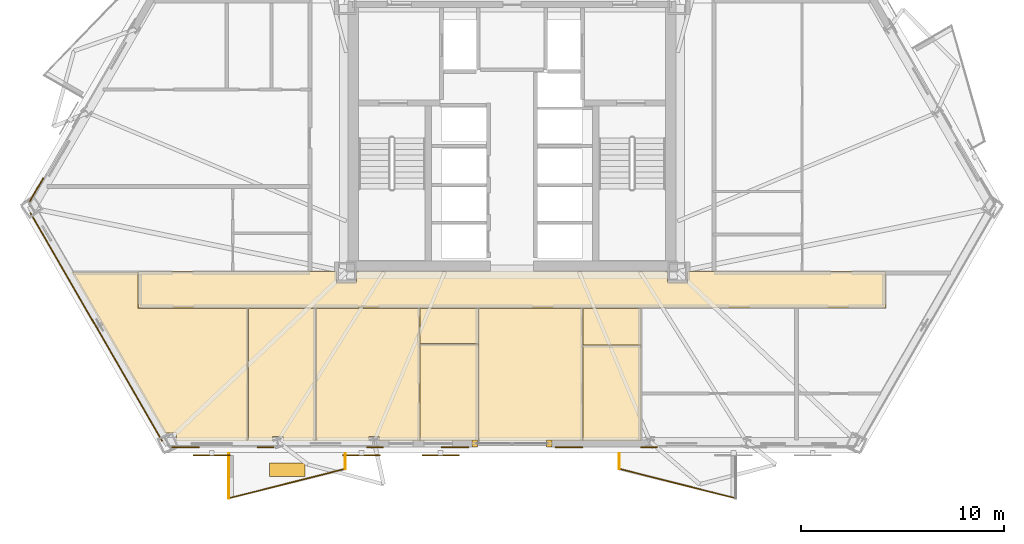
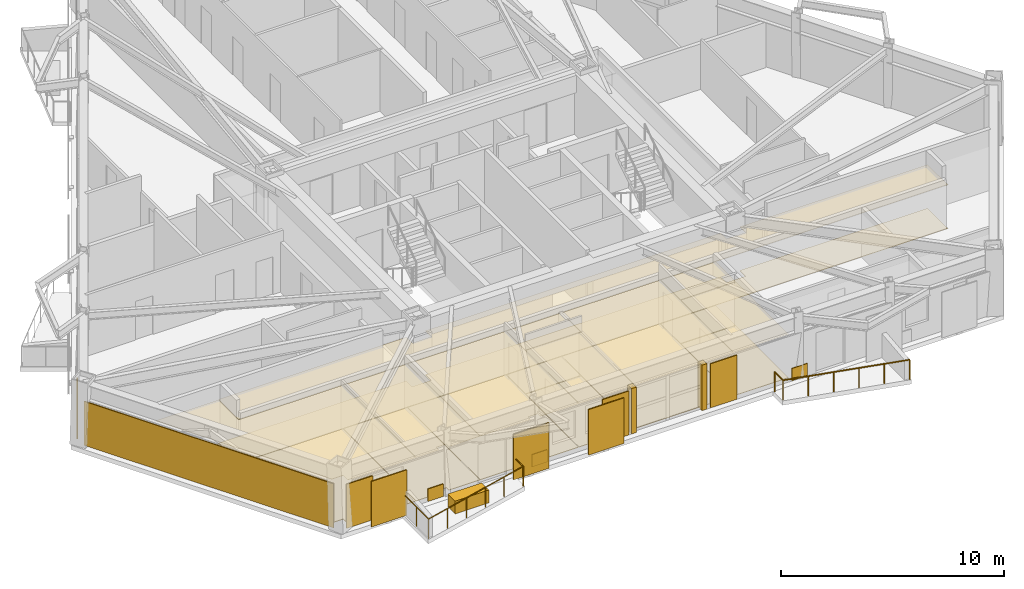
# One storey, part 14 of 17: 29 coverings, 5 railings, 3 shading devices.
"""IFC4 building model written with IfcOpenShell, lengths in metres."""

from ifc_helpers import new_model, si_unit, direction, frame, origin, origin_2d, place, context, subcontext, project, spatial, polyline, rectangle, circle, outline, extrude, material, layer, layer_set, type_object, element, save


model = new_model("IFC4")

# Units and contexts
model_context = context("Model", 3, precision=1e-05, world=origin(), true_north=direction((0.0, 1.0)))
body_context = subcontext(model_context, "Body", "Model", "MODEL_VIEW")
ifc_project = project(units=[si_unit("LENGTHUNIT", "METRE"), si_unit("AREAUNIT", "SQUARE_METRE"), si_unit("VOLUMEUNIT", "CUBIC_METRE"), si_unit("PLANEANGLEUNIT", "RADIAN"), si_unit("MASSUNIT", "GRAM", prefix="KILO")], contexts=[model_context])

# Site, building, storey
site_placement = place(None, origin())
site = spatial("IfcSite", under=ifc_project, at=site_placement, CompositionType="ELEMENT")
building_placement = place(site_placement, origin())
building = spatial("IfcBuilding", under=site, at=building_placement, Name="Oramaril Tower", CompositionType="ELEMENT")
storey_placement = place(building_placement, frame((0.0, 0.0, 70.5)))
storey = spatial("IfcBuildingStorey", under=building, at=storey_placement, Name="L18", CompositionType="ELEMENT", Elevation=70.5)

# Coverings
ifc_material_1 = material(Name="Mineral Fibre Acoustic Ceiling")
ifc_layer_1 = layer(ifc_material_1, 0.02001953125)
ifc_layer_set_1 = layer_set([ifc_layer_1], Name="CVT-CEIL")
covering_type_1 = type_object("IfcCoveringType", Name="CVT-CEIL", PredefinedType="CEILING", material=ifc_layer_set_1)
covering_1_placement = place(storey_placement, frame((0.0, 0.0, 2.39990234375)))
element("IfcCovering", 1, at=covering_1_placement, inside=storey, type_object=covering_type_1, Name="L18 Acoustic Suspended Ceiling 1", PredefinedType="CEILING", context=body_context, shape_type="SweptSolid", body=[
    extrude(outline(polyline([(28.85498046875, 10.5048828125), (29.844970703125, 10.5048828125), (29.844970703125, 11.030029296875), (45.155029296875, 11.030029296875), (45.155029296875, 10.5048828125), (46.14501953125, 10.5048828125), (46.14501953125, 11.030029296875), (55.8798828125, 11.030029296875), (55.8798828125, 9.219970703125), (19.1201171875, 9.219970703125), (19.1201171875, 11.030029296875), (28.85498046875, 11.030029296875), (28.85498046875, 10.5048828125)])), origin(), (0.0, 0.0, 1.0), 0.02001953125),
])
covering_2_placement = place(storey_placement, frame((0.0, 0.0, 2.39990234375)))
element("IfcCovering", 2, at=covering_2_placement, inside=storey, type_object=covering_type_1, Name="L18 Acoustic Suspended Ceiling 5", PredefinedType="CEILING", context=body_context, shape_type="SweptSolid", body=[
    extrude(outline(polyline([(24.510986328125, 2.668701171875), (20.994384765625, 2.668701171875), (20.994384765625, 3.074462890625), (20.40234375, 3.074462890625), (15.8310546875, 10.991943359375), (19.10009765625, 10.991943359375), (19.10009765625, 9.219970703125), (19.10009765625, 9.218017578125), (19.100341796875, 9.216064453125), (19.100830078125, 9.214111328125), (19.1015625, 9.21240234375), (19.102294921875, 9.210693359375), (19.103515625, 9.208984375), (19.1044921875, 9.207275390625), (19.10595703125, 9.205810546875), (19.107421875, 9.20458984375), (19.10888671875, 9.203369140625), (19.110595703125, 9.202392578125), (19.1123046875, 9.201416015625), (19.1142578125, 9.200927734375), (19.1162109375, 9.200439453125), (19.117919921875, 9.2001953125), (19.1201171875, 9.199951171875), (24.510986328125, 9.199951171875), (24.510986328125, 2.668701171875)])), origin(), (0.0, 0.0, 1.0), 0.02001953125),
])
covering_3_placement = place(storey_placement, frame((0.0, 0.0, 2.39990234375)))
element("IfcCovering", 3, at=covering_3_placement, inside=storey, type_object=covering_type_1, Name="L18 Acoustic Suspended Ceiling 6", PredefinedType="CEILING", context=body_context, shape_type="SweptSolid", body=[
    extrude(outline(polyline([(26.2275390625, 2.668701171875), (26.2275390625, 2.891357421875), (25.72412109375, 2.891357421875), (25.72412109375, 2.668701171875), (24.531005859375, 2.668701171875), (24.531005859375, 9.199951171875), (27.842041015625, 9.199951171875), (27.842041015625, 2.668701171875), (26.2275390625, 2.668701171875)])), origin(), (0.0, 0.0, 1.0), 0.02001953125),
])
covering_4_placement = place(storey_placement, frame((0.0, 0.0, 2.39990234375)))
element("IfcCovering", 4, at=covering_4_placement, inside=storey, type_object=covering_type_1, Name="L18 Acoustic Suspended Ceiling 7", PredefinedType="CEILING", context=body_context, shape_type="SweptSolid", body=[
    extrude(outline(polyline([(32.9619140625, 2.668701171875), (30.966796875, 2.668701171875), (30.966796875, 2.891357421875), (30.475341796875, 2.891357421875), (30.475341796875, 2.668701171875), (27.862060546875, 2.668701171875), (27.862060546875, 9.199951171875), (32.9619140625, 9.199951171875), (32.9619140625, 2.668701171875)])), origin(), (0.0, 0.0, 1.0), 0.02001953125),
])
covering_5_placement = place(storey_placement, frame((0.0, 0.0, 2.39990234375)))
element("IfcCovering", 5, at=covering_5_placement, inside=storey, type_object=covering_type_1, Name="L18 Acoustic Suspended Ceiling 8", PredefinedType="CEILING", context=body_context, shape_type="SweptSolid", body=[
    extrude(outline(polyline([(35.842041015625, 7.451904296875), (35.842041015625, 2.668701171875), (32.98193359375, 2.668701171875), (32.98193359375, 7.451904296875), (35.842041015625, 7.451904296875)])), origin(), (0.0, 0.0, 1.0), 0.02001953125),
])
covering_6_placement = place(storey_placement, frame((0.0, 0.0, 2.39990234375)))
element("IfcCovering", 6, at=covering_6_placement, inside=storey, type_object=covering_type_1, Name="L18 Acoustic Suspended Ceiling 9", PredefinedType="CEILING", context=body_context, shape_type="SweptSolid", body=[
    extrude(outline(polyline([(35.842041015625, 7.471923828125), (32.98193359375, 7.471923828125), (32.98193359375, 9.199951171875), (35.842041015625, 9.199951171875), (35.842041015625, 7.471923828125)])), origin(), (0.0, 0.0, 1.0), 0.02001953125),
])
covering_7_placement = place(storey_placement, frame((0.0, 0.0, 2.39990234375)))
element("IfcCovering", 7, at=covering_7_placement, inside=storey, type_object=covering_type_1, Name="L18 Acoustic Suspended Ceiling 10", PredefinedType="CEILING", context=body_context, shape_type="SweptSolid", body=[
    extrude(outline(polyline([(40.9619140625, 2.668701171875), (35.862060546875, 2.668701171875), (35.862060546875, 7.451904296875), (35.86181640625, 7.4541015625), (35.861572265625, 7.455810546875), (35.861083984375, 7.457763671875), (35.860595703125, 7.459716796875), (35.859619140625, 7.46142578125), (35.859375, 7.4619140625), (35.859619140625, 7.462646484375), (35.860595703125, 7.46435546875), (35.861083984375, 7.46630859375), (35.861572265625, 7.468017578125), (35.86181640625, 7.469970703125), (35.862060546875, 7.471923828125), (35.862060546875, 9.199951171875), (40.9619140625, 9.199951171875), (40.9619140625, 2.668701171875)])), origin(), (0.0, 0.0, 1.0), 0.02001953125),
])
covering_8_placement = place(storey_placement, frame((0.0, 0.0, 2.39990234375)))
element("IfcCovering", 8, at=covering_8_placement, inside=storey, type_object=covering_type_1, Name="L18 Acoustic Suspended Ceiling 11", PredefinedType="CEILING", context=body_context, shape_type="SweptSolid", body=[
    extrude(outline(polyline([(43.842041015625, 7.3818359375), (43.842041015625, 2.668701171875), (40.98193359375, 2.668701171875), (40.98193359375, 7.3818359375), (43.842041015625, 7.3818359375)])), origin(), (0.0, 0.0, 1.0), 0.02001953125),
])
covering_9_placement = place(storey_placement, frame((0.0, 0.0, 2.39990234375)))
element("IfcCovering", 9, at=covering_9_placement, inside=storey, type_object=covering_type_1, Name="L18 Acoustic Suspended Ceiling 12", PredefinedType="CEILING", context=body_context, shape_type="SweptSolid", body=[
    extrude(outline(polyline([(43.842041015625, 7.40185546875), (40.98193359375, 7.40185546875), (40.98193359375, 9.199951171875), (43.842041015625, 9.199951171875), (43.842041015625, 7.40185546875)])), origin(), (0.0, 0.0, 1.0), 0.02001953125),
])
ifc_material_2 = material(Name="Warm Cream Limestone", Category="masonry")
ifc_layer_2 = layer(ifc_material_2, 0.050048828125)
ifc_layer_set_2 = layer_set([ifc_layer_2], Name="CVT-CLD")
covering_type_2 = type_object("IfcCoveringType", Name="CVT-CLD", PredefinedType="CLADDING", material=ifc_layer_set_2)
covering_10_placement = place(storey_placement, frame((17.043701171875, 8.28955078125, 0.0400390625), z_axis=(0.0, 0.0, 1.0), x_axis=(0.5, -0.866025403784, 0.0)))
element("IfcCovering", 10, at=covering_10_placement, inside=storey, type_object=covering_type_2, Name="L18 Warm Cream Limestone Cladding", PredefinedType="CLADDING", context=body_context, shape_type="SweptSolid", body=[
    extrude(rectangle(XDim=12.953369140625, YDim=0.050048828125, at=origin_2d()), origin(), (0.0, 0.0, 1.0), 2.4140625),
])
for number, where, z_axis, x_axis, name in (
    (11, (35.669921875, 2.560546875, 0.0), (0.0, 0.0, 1.0), (1.0, 0.0, 0.0), "L18 Curtain Wall Limestone Jamb Closure"),
    (12, (39.330078125, 2.560546875, 0.0), (0.0, 0.0, 1.0), (1.0, 0.0, 0.0), "L18 Curtain Wall Limestone Jamb Closure"),
):
    element("IfcCovering", number, at=place(storey_placement, frame(where, z_axis=z_axis, x_axis=x_axis)), inside=storey, type_object=covering_type_2, Name=name, PredefinedType="CLADDING", context=body_context, shape_type="SweptSolid", body=[
        extrude(rectangle(XDim=0.260009765625, YDim=0.340087890625, at=origin_2d()), origin(), (0.0, 0.0, 1.0), 2.493896484375),
    ])
for number, where, z_axis, x_axis, name in (
    (13, (21.42431640625, 2.36767578125, 0.0400390625), (0.0, 0.0, 1.0), (1.0, 0.0, 0.0), "L18 Warm Cream Limestone Cladding"),
    (14, (34.699951171875, 2.36767578125, 0.0400390625), (0.0, 0.0, 1.0), (1.0, 0.0, 0.0), "L18 Warm Cream Limestone Cladding"),
):
    element("IfcCovering", number, at=place(storey_placement, frame(where, z_axis=z_axis, x_axis=x_axis)), inside=storey, type_object=covering_type_2, Name=name, PredefinedType="CLADDING", context=body_context, shape_type="SweptSolid", body=[
        extrude(rectangle(XDim=1.35009765625, YDim=0.050048828125, at=origin_2d()), origin(), (0.0, 0.0, 1.0), 2.4140625),
    ])
for number, where, z_axis, x_axis, name in (
    (15, (25.366455078125, 2.36767578125, 0.0400390625), (0.0, 0.0, 1.0), (1.0, 0.0, 0.0), "L18 Warm Cream Limestone Spandrel Cladding"),
    (16, (30.7578125, 2.36767578125, 0.0400390625), (0.0, 0.0, 1.0), (1.0, 0.0, 0.0), "L18 Warm Cream Limestone Spandrel Cladding"),
):
    element("IfcCovering", number, at=place(storey_placement, frame(where, z_axis=z_axis, x_axis=x_axis)), inside=storey, type_object=covering_type_2, Name=name, PredefinedType="CLADDING", context=body_context, shape_type="SweptSolid", body=[
        extrude(rectangle(XDim=0.800048828125, YDim=0.050048828125, at=origin_2d()), origin(), (0.0, 0.0, 1.0), 0.679931640625),
    ])
covering_11_placement = place(storey_placement, frame((40.300048828125, 2.36767578125, 0.0400390625), z_axis=(0.0, 0.0, 1.0), x_axis=(1.0, 0.0, 0.0)))
element("IfcCovering", 17, at=covering_11_placement, inside=storey, type_object=covering_type_2, Name="L18 Warm Cream Limestone Cladding", PredefinedType="CLADDING", context=body_context, shape_type="SweptSolid", body=[
    extrude(rectangle(XDim=1.35009765625, YDim=0.050048828125, at=origin_2d()), origin(), (0.0, 0.0, 1.0), 2.4140625),
])
covering_12_placement = place(storey_placement, frame((44.2421875, 2.36767578125, 0.0400390625), z_axis=(0.0, 0.0, 1.0), x_axis=(1.0, 0.0, 0.0)))
element("IfcCovering", 18, at=covering_12_placement, inside=storey, type_object=covering_type_2, Name="L18 Warm Cream Limestone Spandrel Cladding", PredefinedType="CLADDING", context=body_context, shape_type="SweptSolid", body=[
    extrude(rectangle(XDim=0.800048828125, YDim=0.050048828125, at=origin_2d()), origin(), (0.0, 0.0, 1.0), 0.679931640625),
])
covering_13_placement = place(storey_placement, frame((14.10546875, 15.044189453125, 0.0400390625), z_axis=(0.0, 0.0, 1.0), x_axis=(-0.5, -0.866025403784, 0.0)))
element("IfcCovering", 19, at=covering_13_placement, inside=storey, type_object=covering_type_2, Name="L18 Warm Cream Limestone Cladding", PredefinedType="CLADDING", context=body_context, shape_type="SweptSolid", body=[
    extrude(rectangle(XDim=1.35009765625, YDim=0.050048828125, at=origin_2d()), origin(), (0.0, 0.0, 1.0), 2.4140625),
])
covering_14_placement = place(storey_placement, frame((26.43359375, 1.26416015625, 0.0), z_axis=(0.0, 0.0, 1.0), x_axis=(1.0, 0.0, 0.0)))
element("IfcCovering", 20, at=covering_14_placement, inside=storey, type_object=covering_type_2, Name="L18 Structural Tree Planter Box L18-BAL-S1", PredefinedType="CLADDING", context=body_context, shape_type="SweptSolid", body=[
    extrude(rectangle(XDim=1.75, YDim=0.64990234375, at=origin_2d()), origin(), (0.0, 0.0, 1.0), 0.699951171875),
])
ifc_material_3 = material(Name="Honed Quartzite Stone Flooring", Category="masonry")
ifc_layer_3 = layer(ifc_material_3, 0.02490234375)
ifc_layer_set_3 = layer_set([ifc_layer_3], Name="CVT-FLR")
covering_type_3 = type_object("IfcCoveringType", Name="CVT-FLR", PredefinedType="FLOORING", material=ifc_layer_set_3)
covering_15_placement = place(storey_placement, origin())
element("IfcCovering", 21, at=covering_15_placement, inside=storey, type_object=covering_type_3, Name="L18 Honed Stone Floor Finish 1", PredefinedType="FLOORING", context=body_context, shape_type="SweptSolid", body=[
    extrude(outline(polyline([(28.85498046875, 10.5048828125), (29.844970703125, 10.5048828125), (29.844970703125, 11.030029296875), (45.155029296875, 11.030029296875), (45.155029296875, 10.5048828125), (46.14501953125, 10.5048828125), (46.14501953125, 11.030029296875), (55.8798828125, 11.030029296875), (55.8798828125, 9.219970703125), (19.1201171875, 9.219970703125), (19.1201171875, 11.030029296875), (28.85498046875, 11.030029296875), (28.85498046875, 10.5048828125)])), origin(), (0.0, 0.0, 1.0), 0.02490234375),
])
covering_16_placement = place(storey_placement, origin())
element("IfcCovering", 22, at=covering_16_placement, inside=storey, type_object=covering_type_3, Name="L18 Honed Stone Floor Finish 5", PredefinedType="FLOORING", context=body_context, shape_type="SweptSolid", body=[
    extrude(outline(polyline([(24.510986328125, 2.668701171875), (20.994384765625, 2.668701171875), (20.994384765625, 3.074462890625), (20.40234375, 3.074462890625), (15.8310546875, 10.991943359375), (19.10009765625, 10.991943359375), (19.10009765625, 9.219970703125), (19.10009765625, 9.218017578125), (19.100341796875, 9.216064453125), (19.100830078125, 9.214111328125), (19.1015625, 9.21240234375), (19.102294921875, 9.210693359375), (19.103515625, 9.208984375), (19.1044921875, 9.207275390625), (19.10595703125, 9.205810546875), (19.107421875, 9.20458984375), (19.10888671875, 9.203369140625), (19.110595703125, 9.202392578125), (19.1123046875, 9.201416015625), (19.1142578125, 9.200927734375), (19.1162109375, 9.200439453125), (19.117919921875, 9.2001953125), (19.1201171875, 9.199951171875), (24.510986328125, 9.199951171875), (24.510986328125, 2.668701171875)])), origin(), (0.0, 0.0, 1.0), 0.02490234375),
])
covering_17_placement = place(storey_placement, origin())
element("IfcCovering", 23, at=covering_17_placement, inside=storey, type_object=covering_type_3, Name="L18 Honed Stone Floor Finish 6", PredefinedType="FLOORING", context=body_context, shape_type="SweptSolid", body=[
    extrude(outline(polyline([(26.2275390625, 2.668701171875), (26.2275390625, 2.891357421875), (25.72412109375, 2.891357421875), (25.72412109375, 2.668701171875), (24.531005859375, 2.668701171875), (24.531005859375, 9.199951171875), (27.842041015625, 9.199951171875), (27.842041015625, 2.668701171875), (26.2275390625, 2.668701171875)])), origin(), (0.0, 0.0, 1.0), 0.02490234375),
])
covering_18_placement = place(storey_placement, origin())
element("IfcCovering", 24, at=covering_18_placement, inside=storey, type_object=covering_type_3, Name="L18 Honed Stone Floor Finish 7", PredefinedType="FLOORING", context=body_context, shape_type="SweptSolid", body=[
    extrude(outline(polyline([(32.9619140625, 2.668701171875), (30.966796875, 2.668701171875), (30.966796875, 2.891357421875), (30.475341796875, 2.891357421875), (30.475341796875, 2.668701171875), (27.862060546875, 2.668701171875), (27.862060546875, 9.199951171875), (32.9619140625, 9.199951171875), (32.9619140625, 2.668701171875)])), origin(), (0.0, 0.0, 1.0), 0.02490234375),
])
covering_19_placement = place(storey_placement, origin())
element("IfcCovering", 25, at=covering_19_placement, inside=storey, type_object=covering_type_3, Name="L18 Honed Stone Floor Finish 8", PredefinedType="FLOORING", context=body_context, shape_type="SweptSolid", body=[
    extrude(outline(polyline([(35.842041015625, 7.451904296875), (35.842041015625, 2.668701171875), (32.98193359375, 2.668701171875), (32.98193359375, 7.451904296875), (35.842041015625, 7.451904296875)])), origin(), (0.0, 0.0, 1.0), 0.02490234375),
])
covering_20_placement = place(storey_placement, origin())
element("IfcCovering", 26, at=covering_20_placement, inside=storey, type_object=covering_type_3, Name="L18 Honed Stone Floor Finish 9", PredefinedType="FLOORING", context=body_context, shape_type="SweptSolid", body=[
    extrude(outline(polyline([(35.842041015625, 7.471923828125), (32.98193359375, 7.471923828125), (32.98193359375, 9.199951171875), (35.842041015625, 9.199951171875), (35.842041015625, 7.471923828125)])), origin(), (0.0, 0.0, 1.0), 0.02490234375),
])
covering_21_placement = place(storey_placement, origin())
element("IfcCovering", 27, at=covering_21_placement, inside=storey, type_object=covering_type_3, Name="L18 Honed Stone Floor Finish 10", PredefinedType="FLOORING", context=body_context, shape_type="SweptSolid", body=[
    extrude(outline(polyline([(40.9619140625, 2.668701171875), (35.862060546875, 2.668701171875), (35.862060546875, 7.451904296875), (35.86181640625, 7.4541015625), (35.861572265625, 7.455810546875), (35.861083984375, 7.457763671875), (35.860595703125, 7.459716796875), (35.859619140625, 7.46142578125), (35.859375, 7.4619140625), (35.859619140625, 7.462646484375), (35.860595703125, 7.46435546875), (35.861083984375, 7.46630859375), (35.861572265625, 7.468017578125), (35.86181640625, 7.469970703125), (35.862060546875, 7.471923828125), (35.862060546875, 9.199951171875), (40.9619140625, 9.199951171875), (40.9619140625, 2.668701171875)])), origin(), (0.0, 0.0, 1.0), 0.02490234375),
])
covering_22_placement = place(storey_placement, origin())
element("IfcCovering", 28, at=covering_22_placement, inside=storey, type_object=covering_type_3, Name="L18 Honed Stone Floor Finish 11", PredefinedType="FLOORING", context=body_context, shape_type="SweptSolid", body=[
    extrude(outline(polyline([(43.842041015625, 7.3818359375), (43.842041015625, 2.668701171875), (40.98193359375, 2.668701171875), (40.98193359375, 7.3818359375), (43.842041015625, 7.3818359375)])), origin(), (0.0, 0.0, 1.0), 0.02490234375),
])
covering_23_placement = place(storey_placement, origin())
element("IfcCovering", 29, at=covering_23_placement, inside=storey, type_object=covering_type_3, Name="L18 Honed Stone Floor Finish 12", PredefinedType="FLOORING", context=body_context, shape_type="SweptSolid", body=[
    extrude(outline(polyline([(43.842041015625, 7.40185546875), (40.98193359375, 7.40185546875), (40.98193359375, 9.199951171875), (43.842041015625, 9.199951171875), (43.842041015625, 7.40185546875)])), origin(), (0.0, 0.0, 1.0), 0.02490234375),
])

# Railings
ifc_material_4 = material(Name="Stainless Steel 316L", Category="steel")
railing_type = type_object("IfcRailingType", Name="RLT-GRD", PredefinedType="GUARDRAIL", material=ifc_material_4)
railing_1_placement = place(storey_placement, frame((29.298583984375, 2.052490234375, 0.0)))
element("IfcRailing", 30, at=railing_1_placement, inside=storey, type_object=railing_type, Name="L18 Balcony Guardrail L18-BAL-S1.1", PredefinedType="GUARDRAIL", context=body_context, shape_type="SweptSolid", body=[
    extrude(circle(Radius=0.02392578125, at=origin_2d()), frame((0.0, 0.0, 1.076171875), z_axis=(0.0, -1.0, 0.0), x_axis=(1.0, 0.0, 0.0)), (0.0, 0.0, 1.0), 0.741943359375),
    extrude(circle(Radius=0.02099609375, at=origin_2d()), origin(), (0.0, 0.0, 1.0), 1.052001953125),
    extrude(circle(Radius=0.02099609375, at=origin_2d()), frame((0.0, -0.741943359375, 0.0)), (0.0, 0.0, 1.0), 1.052001953125),
])
railing_2_placement = place(storey_placement, frame((29.298583984375, 1.310546875, 0.0)))
element("IfcRailing", 31, at=railing_2_placement, inside=storey, type_object=railing_type, Name="L18 Balcony Guardrail L18-BAL-S1.2", PredefinedType="GUARDRAIL", context=body_context, shape_type="SweptSolid", body=[
    extrude(circle(Radius=0.02392578125, at=origin_2d()), frame((0.0, 0.0, 1.076171875), z_axis=(-0.969443611257, -0.245314256807, 0.0), x_axis=(0.245314256807, -0.969443611257, 0.0)), (0.0, 0.0, 1.0), 5.91064453125),
    extrude(circle(Radius=0.02099609375, at=origin_2d()), origin(), (0.0, 0.0, 1.0), 1.052001953125),
    extrude(circle(Radius=0.02099609375, at=origin_2d()), frame((-1.14599609375, -0.2900390625, 0.0)), (0.0, 0.0, 1.0), 1.052001953125),
    extrude(circle(Radius=0.02099609375, at=origin_2d()), frame((-2.2919921875, -0.580078125, 0.0)), (0.0, 0.0, 1.0), 1.052001953125),
    extrude(circle(Radius=0.02099609375, at=origin_2d()), frame((-3.43798828125, -0.869873046875, 0.0)), (0.0, 0.0, 1.0), 1.052001953125),
    extrude(circle(Radius=0.02099609375, at=origin_2d()), frame((-4.583984375, -1.159912109375, 0.0)), (0.0, 0.0, 1.0), 1.052001953125),
    extrude(circle(Radius=0.02099609375, at=origin_2d()), frame((-5.72998046875, -1.449951171875, 0.0)), (0.0, 0.0, 1.0), 1.052001953125),
])
railing_3_placement = place(storey_placement, frame((23.568603515625, -0.139404296875, 0.0)))
element("IfcRailing", 32, at=railing_3_placement, inside=storey, type_object=railing_type, Name="L18 Balcony Guardrail L18-BAL-S1.3", PredefinedType="GUARDRAIL", context=body_context, shape_type="SweptSolid", body=[
    extrude(circle(Radius=0.02392578125, at=origin_2d()), frame((0.0, 0.0, 1.076171875), z_axis=(0.0, 1.0, 0.0), x_axis=(-1.0, 0.0, 0.0)), (0.0, 0.0, 1.0), 2.19189453125),
    extrude(circle(Radius=0.02099609375, at=origin_2d()), origin(), (0.0, 0.0, 1.0), 1.052001953125),
    extrude(circle(Radius=0.02099609375, at=origin_2d()), frame((0.0, 1.095947265625, 0.0)), (0.0, 0.0, 1.0), 1.052001953125),
    extrude(circle(Radius=0.02099609375, at=origin_2d()), frame((0.0, 2.19189453125, 0.0)), (0.0, 0.0, 1.0), 1.052001953125),
])
railing_4_placement = place(storey_placement, frame((48.50634765625, -0.139404296875, 0.0)))
element("IfcRailing", 33, at=railing_4_placement, inside=storey, type_object=railing_type, Name="L18 Balcony Guardrail L18-BAL-S2.2", PredefinedType="GUARDRAIL", context=body_context, shape_type="SweptSolid", body=[
    extrude(circle(Radius=0.02392578125, at=origin_2d()), frame((0.0, 0.0, 1.076171875), z_axis=(-0.969443611257, 0.245314256807, 0.0), x_axis=(-0.245314256807, -0.969443611257, 0.0)), (0.0, 0.0, 1.0), 5.91064453125),
    extrude(circle(Radius=0.02099609375, at=origin_2d()), origin(), (0.0, 0.0, 1.0), 1.052001953125),
    extrude(circle(Radius=0.02099609375, at=origin_2d()), frame((-1.14599609375, 0.2900390625, 0.0)), (0.0, 0.0, 1.0), 1.052001953125),
    extrude(circle(Radius=0.02099609375, at=origin_2d()), frame((-2.2919921875, 0.580078125, 0.0)), (0.0, 0.0, 1.0), 1.052001953125),
    extrude(circle(Radius=0.02099609375, at=origin_2d()), frame((-3.43798828125, 0.869873046875, 0.0)), (0.0, 0.0, 1.0), 1.052001953125),
    extrude(circle(Radius=0.02099609375, at=origin_2d()), frame((-4.583984375, 1.159912109375, 0.0)), (0.0, 0.0, 1.0), 1.052001953125),
    extrude(circle(Radius=0.02099609375, at=origin_2d()), frame((-5.72998046875, 1.449951171875, 0.0)), (0.0, 0.0, 1.0), 1.052001953125),
])
railing_5_placement = place(storey_placement, frame((42.7763671875, 1.310546875, 0.0)))
element("IfcRailing", 34, at=railing_5_placement, inside=storey, type_object=railing_type, Name="L18 Balcony Guardrail L18-BAL-S2.3", PredefinedType="GUARDRAIL", context=body_context, shape_type="SweptSolid", body=[
    extrude(circle(Radius=0.02392578125, at=origin_2d()), frame((0.0, 0.0, 1.076171875), z_axis=(0.0, 1.0, 0.0), x_axis=(-1.0, 0.0, 0.0)), (0.0, 0.0, 1.0), 0.741943359375),
    extrude(circle(Radius=0.02099609375, at=origin_2d()), origin(), (0.0, 0.0, 1.0), 1.052001953125),
    extrude(circle(Radius=0.02099609375, at=origin_2d()), frame((0.0, 0.741943359375, 0.0)), (0.0, 0.0, 1.0), 1.052001953125),
])

# Shading devices
for number, where, z_axis, x_axis, name in (
    (35, (22.723388671875, 1.980712890625, -0.02001953125), (0.0, 0.0, 1.0), (1.0, 0.0, 0.0), "L18 Perforated Ceramic Solar Screen"),
    (36, (30.089111328125, 1.980712890625, -0.02001953125), (0.0, 0.0, 1.0), (1.0, 0.0, 0.0), "L18 Perforated Ceramic Solar Screen"),
    (37, (33.9892578125, 1.980712890625, -0.02001953125), (0.0, 0.0, 1.0), (1.0, 0.0, 0.0), "L18 Perforated Ceramic Solar Screen"),
):
    element("IfcShadingDevice", number, at=place(storey_placement, frame(where, z_axis=z_axis, x_axis=x_axis)), inside=storey, Name=name, ObjectType="SCREEN", PredefinedType="USERDEFINED", context=body_context, shape_type="SweptSolid", body=[
        extrude(rectangle(XDim=1.8330078125, YDim=0.050048828125, at=origin_2d()), origin(), (0.0, 0.0, 1.0), 2.493896484375),
    ])

save(model, "model.ifc")
